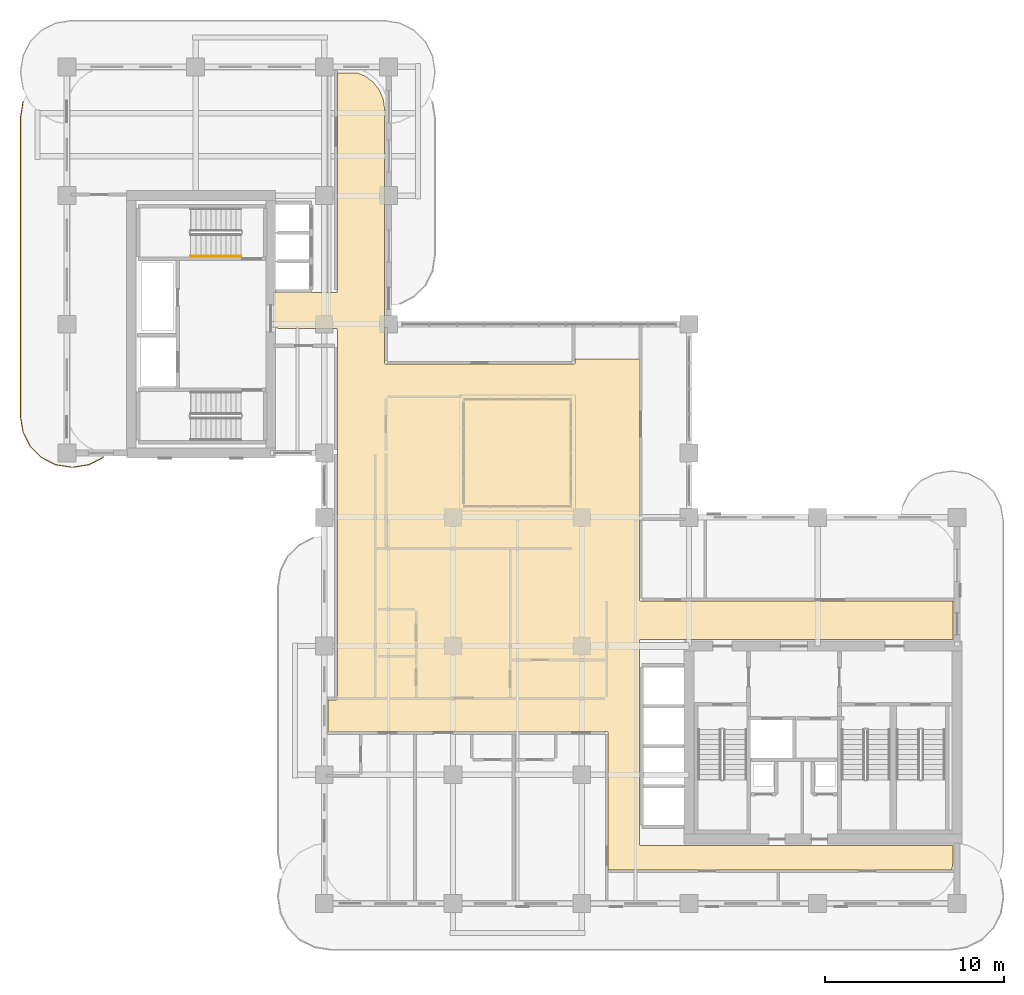
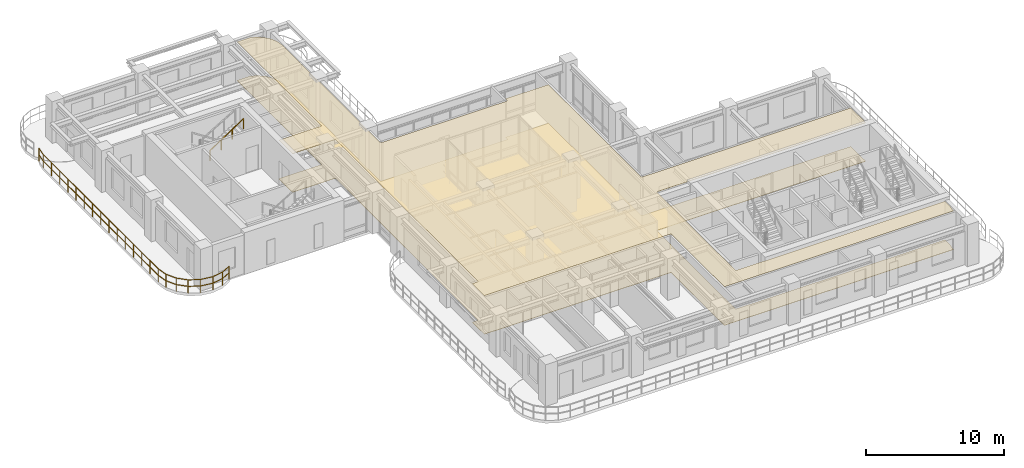
# One storey, part 19 of 20: 2 coverings, 2 railings.
"""IFC4 building model written with IfcOpenShell, lengths in metres."""

import ifcopenshell
import ifcopenshell.guid

model = None  # the IFC model being written
_history = None  # IfcOwnerHistory: only IFC2X3 demands one
_inside = {}  # id of a spatial element -> (the spatial element, [elements in it])
_under = {}  # id of a project, library or spatial element -> (it, [spatial elements below it])
_declared = {}  # id of a project -> (the project, [libraries it declares])
_typed = {}  # id of a type object -> (the type object, [elements of that type])
_made_of = {}  # id of a material, layer set ... -> (it, [elements and type objects made of it])


def new_model(schema):
    """Start an empty IFC model of exactly this schema.

    Asked for "IFC4X3", IfcOpenShell would pick the latest addendum, in which some entities
    have other attributes; the version numbers below select the first issue.
    IFC2X3 requires an IfcOwnerHistory on every rooted entity: one is made here for all.
    """
    global model, _history
    if schema == "IFC4X3":
        model = ifcopenshell.file(schema_version=(4, 3, 0, 0))
    else:
        model = ifcopenshell.file(schema=schema)
    _inside.clear()
    _under.clear()
    _declared.clear()
    _typed.clear()
    _made_of.clear()
    _history = None
    if model.schema == "IFC2X3":
        org = make("IfcOrganization", Name="unknown")
        user = make(
            "IfcPersonAndOrganization",
            ThePerson=make("IfcPerson", FamilyName="unknown"),
            TheOrganization=org,
        )
        app = make(
            "IfcApplication",
            ApplicationDeveloper=org,
            Version="unknown",
            ApplicationFullName="unknown",
            ApplicationIdentifier="unknown",
        )
        _history = make(
            "IfcOwnerHistory",
            OwningUser=user,
            OwningApplication=app,
            ChangeAction="ADDED",
            CreationDate=0,
        )
    return model


def make(cls, **values):
    """One entity of the class cls with the attributes given. An attribute that is None is left unset."""
    return model.create_entity(
        cls, **{name: value for name, value in values.items() if value is not None}
    )


def rooted(cls, **values):
    """An entity with a GlobalId (a new one), such as an element, a storey or a relation."""
    return make(cls, GlobalId=ifcopenshell.guid.new(), OwnerHistory=_history, **values)


def si_unit(unit_type, name, prefix=None):
    """IfcSIUnit, for example si_unit("LENGTHUNIT", "METRE", prefix="MILLI")."""
    return make("IfcSIUnit", UnitType=unit_type, Prefix=prefix, Name=name)


def derived_unit(unit_type, elements):
    """IfcDerivedUnit: a product of units, each with its exponent."""
    return make(
        "IfcDerivedUnit",
        Elements=[
            make("IfcDerivedUnitElement", Unit=unit, Exponent=power)
            for unit, power in elements
        ],
        UnitType=unit_type,
    )


def assignment(units):
    """IfcUnitAssignment: the units of a project."""
    return None if units is None else make("IfcUnitAssignment", Units=units)


def point(xyz):
    """IfcCartesianPoint."""
    return None if xyz is None else make("IfcCartesianPoint", Coordinates=xyz)


def direction(xyz):
    """IfcDirection."""
    return None if xyz is None else make("IfcDirection", DirectionRatios=xyz)


def frame(location, z_axis=None, x_axis=None):
    """IfcAxis2Placement3D, a coordinate frame: its origin and axes. An axis left out is left unset."""
    return make(
        "IfcAxis2Placement3D",
        Location=point(location),
        Axis=direction(z_axis),
        RefDirection=direction(x_axis),
    )


def frame_2d(location, x_axis=None):
    """IfcAxis2Placement2D, a coordinate frame in the plane: its origin and x axis."""
    return make(
        "IfcAxis2Placement2D", Location=point(location), RefDirection=direction(x_axis)
    )


def origin():
    """The frame at (0, 0, 0) with its axes left unset."""
    return frame((0.0, 0.0, 0.0))


def origin_2d():
    """The frame at (0, 0) in the plane with its x axis left unset."""
    return frame_2d((0.0, 0.0))


def place(relative_to, where):
    """IfcLocalPlacement: puts the frame where relative to a parent placement (None: the world)."""
    return make(
        "IfcLocalPlacement", PlacementRelTo=relative_to, RelativePlacement=where
    )


def context(
    kind, dimensions, precision=None, world=None, true_north=None, identifier=None
):
    """IfcGeometricRepresentationContext, for example the 3D "Model" context."""
    return make(
        "IfcGeometricRepresentationContext",
        ContextIdentifier=identifier,
        ContextType=kind,
        CoordinateSpaceDimension=dimensions,
        Precision=precision,
        WorldCoordinateSystem=world,
        TrueNorth=true_north,
    )


def subcontext(parent, identifier, kind, view, scale=None):
    """IfcGeometricRepresentationSubContext, for example "Body" below "Model"."""
    return make(
        "IfcGeometricRepresentationSubContext",
        ContextIdentifier=identifier,
        ContextType=kind,
        ParentContext=parent,
        TargetScale=scale,
        TargetView=view,
    )


def project(units=None, contexts=None):
    """IfcProject with its units and contexts."""
    return rooted(
        "IfcProject",
        Name="project",
        RepresentationContexts=contexts,
        UnitsInContext=assignment(units),
    )


def spatial(cls, under=None, at=None, **own):
    """A site, building, storey or space (cls), placed at a placement, below another one or the project."""
    s = rooted(cls, ObjectPlacement=at, **own)
    if under is not None:
        _under.setdefault(under.id(), (under, []))[1].append(s)
    return s


def polyline(points):
    """IfcPolyline through the points."""
    return make("IfcPolyline", Points=[point(p) for p in points])


def profile(cls, at=None, kind="AREA", **sizes):
    """A parametric profile (cls). Its sizes go by their IFC names, for example OverallWidth=200.0."""
    return make(cls, ProfileType=kind, Position=at, **sizes)


def rectangle(**sizes):
    """IfcRectangleProfileDef."""
    return profile("IfcRectangleProfileDef", **sizes)


def outline(outer, holes=None, kind="AREA"):
    """IfcArbitraryClosedProfileDef: a profile drawn as a closed curve; with holes, ...WithVoids."""
    if holes is None:
        return make("IfcArbitraryClosedProfileDef", ProfileType=kind, OuterCurve=outer)
    return make(
        "IfcArbitraryProfileDefWithVoids",
        ProfileType=kind,
        OuterCurve=outer,
        InnerCurves=holes,
    )


def extrude(swept, where, along, depth):
    """IfcExtrudedAreaSolid: the profile swept, set in the frame where, extruded along a direction by depth."""
    return make(
        "IfcExtrudedAreaSolid",
        SweptArea=swept,
        Position=where,
        ExtrudedDirection=direction(along),
        Depth=depth,
    )


def shape(context_of_items, identifier, shape_type, items):
    """IfcShapeRepresentation: the items that make up one representation, for example the "Body"."""
    return make(
        "IfcShapeRepresentation",
        ContextOfItems=context_of_items,
        RepresentationIdentifier=identifier,
        RepresentationType=shape_type,
        Items=items,
    )


def material(Name=None, Category=None):
    """IfcMaterial."""
    return make("IfcMaterial", Name=Name, Category=Category)


def layer(
    of_material, thickness, ventilated=None, Name=None, Category=None, Priority=None
):
    """IfcMaterialLayer: one layer of a wall or slab, of a material (None: an air gap)."""
    return make(
        "IfcMaterialLayer",
        Material=of_material,
        LayerThickness=thickness,
        IsVentilated=ventilated,
        Name=Name,
        Category=Category,
        Priority=Priority,
    )


def layer_set(layers, Name=None):
    """IfcMaterialLayerSet."""
    return make("IfcMaterialLayerSet", MaterialLayers=layers, LayerSetName=Name)


def made_of(thing, what):
    """Note that an element or type object is made of a material, layer set ...; save() writes the relation."""
    if what is not None:
        _made_of.setdefault(what.id(), (what, []))[1].append(thing)
    return thing


def type_object(cls, material=None, **own):
    """A type object (cls), such as IfcWallType, which elements share."""
    return made_of(rooted(cls, **own), material)


def element(
    cls,
    number,
    at=None,
    inside=None,
    cuts=None,
    type_object=None,
    material=None,
    context=None,
    identifier="Body",
    shape_type=None,
    held_by="IfcProductDefinitionShape",
    body=None,
    shapes=None,
    **own,
):
    """One element of the class cls, such as IfcWall. Its Tag is "e" and its number.

    at: its placement. inside: the storey or other place that contains it. cuts: it is an
    opening in that element (IfcRelVoidsElement). A single representation is given by context,
    identifier, shape_type and body (its items); several are given by shapes. held_by: the class
    of the entity that holds the representations. save() writes the other relations.
    """
    e = rooted(cls, Tag="e%d" % number, ObjectPlacement=at, **own)
    if body is not None:
        shapes = [shape(context, identifier, shape_type, body)]
    if shapes is not None:
        e.Representation = make(held_by, Representations=shapes)
    if inside is not None:
        _inside.setdefault(inside.id(), (inside, []))[1].append(e)
    if cuts is not None:
        rooted(
            "IfcRelVoidsElement", RelatingBuildingElement=cuts, RelatedOpeningElement=e
        )
    if type_object is not None:
        _typed.setdefault(type_object.id(), (type_object, []))[1].append(e)
    return made_of(e, material)


def aggregate(whole, parts):
    """IfcRelAggregates: a whole, such as a stair, and the parts it consists of."""
    return rooted("IfcRelAggregates", RelatingObject=whole, RelatedObjects=parts)


def save(model, path):
    """Write the relations noted so far, then the file.

    IfcRelAggregates (storeys below a building ...), IfcRelContainedInSpatialStructure (elements
    in a storey), IfcRelDefinesByType, IfcRelAssociatesMaterial and IfcRelDeclares: one each for
    every whole, place, type object, material and project.
    """
    for whole, parts in _under.values():
        aggregate(whole, parts)
    for where, things in _inside.values():
        rooted(
            "IfcRelContainedInSpatialStructure",
            RelatedElements=things,
            RelatingStructure=where,
        )
    for kind, things in _typed.values():
        rooted("IfcRelDefinesByType", RelatedObjects=things, RelatingType=kind)
    for what, things in _made_of.values():
        rooted("IfcRelAssociatesMaterial", RelatedObjects=things, RelatingMaterial=what)
    for by, libraries in _declared.values():
        rooted("IfcRelDeclares", RelatingContext=by, RelatedDefinitions=libraries)
    model.write(path)


model = new_model("IFC4")

# Units and contexts
model_context = context("Model", 3, precision=1e-05, world=origin(), true_north=direction((0.0, 1.0)))
body_context = subcontext(model_context, "Body", "Model", "MODEL_VIEW")
ifc_project = project(units=[si_unit("LENGTHUNIT", "METRE"), si_unit("AREAUNIT", "SQUARE_METRE"), si_unit("VOLUMEUNIT", "CUBIC_METRE"), si_unit("PLANEANGLEUNIT", "RADIAN"), si_unit("MASSUNIT", "GRAM", prefix="KILO"), si_unit("THERMODYNAMICTEMPERATUREUNIT", "KELVIN"), si_unit("POWERUNIT", "WATT"), derived_unit("THERMALTRANSMITTANCEUNIT", [(si_unit("POWERUNIT", "WATT"), 1), (si_unit("AREAUNIT", "SQUARE_METRE"), -1), (si_unit("THERMODYNAMICTEMPERATUREUNIT", "KELVIN"), -1)])], contexts=[model_context])

# Site, building, storey
site_placement = place(None, origin())
site = spatial("IfcSite", under=ifc_project, at=site_placement, CompositionType="ELEMENT")
building_placement = place(site_placement, origin())
building = spatial("IfcBuilding", under=site, at=building_placement, Name="Zahravan Archway Hotel and Residences", CompositionType="ELEMENT")
storey_placement = place(building_placement, frame((0.0, 0.0, 130.300048828125)))
storey = spatial("IfcBuildingStorey", under=building, at=storey_placement, Name="L32", CompositionType="ELEMENT", Elevation=130.300048828125)

# Coverings
ifc_material_1 = material(Name="Perforated Acoustic Gypsum Ceiling")
ifc_layer_1 = layer(ifc_material_1, 0.02490234375, Name="Perforated Acoustic Gypsum Ceiling")
ifc_layer_set_1 = layer_set([ifc_layer_1], Name="Perforated Acoustic Gypsum Ceiling")
covering_type_1 = type_object("IfcCoveringType", Name="COV-CEIL-ACST", PredefinedType="CEILING", material=ifc_layer_set_1)
covering_1_placement = place(storey_placement, frame((0.0, 0.0, 3.425048828125)))
element("IfcCovering", 1, at=covering_1_placement, inside=storey, type_object=covering_type_1, Name="L32 Acoustic Corridor Ceiling", PredefinedType="CEILING", context=body_context, shape_type="SweptSolid", body=[
    extrude(outline(polyline([(32.08447265625, 14.75341796875), (32.04345703125, 14.731689453125), (32.021484375, 14.690673828125), (32.02001953125, 3.324951171875), (32.033447265625, 3.280517578125), (32.0693359375, 3.251220703125), (49.580078125, 3.2451171875), (49.580078125, 2.414306640625), (49.509521484375, 1.8798828125), (30.280029296875, 1.8798828125), (30.280029296875, 9.550048828125), (30.2666015625, 9.594482421875), (30.230712890625, 9.623779296875), (14.6201171875, 9.6298828125), (14.6201171875, 11.389892578125), (15.050048828125, 11.389892578125), (15.094482421875, 11.403564453125), (15.123779296875, 11.439453125), (15.1298828125, 32.10009765625), (15.116455078125, 32.144287109375), (15.08056640625, 32.173828125), (11.530029296875, 32.179931640625), (11.530029296875, 34.169921875), (15.050048828125, 34.169921875), (15.094482421875, 34.18359375), (15.123779296875, 34.219482421875), (15.1298828125, 46.469970703125), (16.24560546875, 46.469970703125), (16.689208984375, 46.286376953125), (17.14013671875, 45.940185546875), (17.486328125, 45.489013671875), (17.703857421875, 44.9638671875), (17.77001953125, 44.46142578125), (17.77001953125, 30.25), (17.783447265625, 30.20556640625), (17.8193359375, 30.176025390625), (28.35009765625, 30.169921875), (28.394287109375, 30.18359375), (28.423828125, 30.219482421875), (28.429931640625, 30.469970703125), (32.02001953125, 30.469970703125), (32.02001953125, 17.0), (32.033447265625, 16.95556640625), (32.0693359375, 16.926025390625), (49.580078125, 16.919921875), (49.580078125, 14.7548828125), (32.10009765625, 14.7548828125), (32.08447265625, 14.75341796875)])), origin(), (0.0, 0.0, 1.0), 0.02490234375),
])
ifc_material_2 = material(Name="Honed Margalla Limestone & Mortar Bed", Category="masonry")
ifc_layer_2 = layer(ifc_material_2, 0.030029296875, Name="Honed Margalla Limestone & Mortar Bed", Category="masonry")
ifc_layer_set_2 = layer_set([ifc_layer_2], Name="Honed Margalla Limestone & Mortar Bed")
covering_type_2 = type_object("IfcCoveringType", Name="COV-FLR-STONE", PredefinedType="FLOORING", material=ifc_layer_set_2)
covering_2_placement = place(storey_placement, origin())
element("IfcCovering", 2, at=covering_2_placement, inside=storey, type_object=covering_type_2, Name="L32 Circulation Floor Finish", PredefinedType="FLOORING", context=body_context, shape_type="SweptSolid", body=[
    extrude(outline(polyline([(32.08447265625, 14.75341796875), (32.04345703125, 14.731689453125), (32.021484375, 14.690673828125), (32.02001953125, 3.324951171875), (32.033447265625, 3.280517578125), (32.0693359375, 3.251220703125), (49.580078125, 3.2451171875), (49.580078125, 2.414306640625), (49.509521484375, 1.8798828125), (30.280029296875, 1.8798828125), (30.280029296875, 9.550048828125), (30.2666015625, 9.594482421875), (30.230712890625, 9.623779296875), (14.6201171875, 9.6298828125), (14.6201171875, 11.389892578125), (15.050048828125, 11.389892578125), (15.094482421875, 11.403564453125), (15.123779296875, 11.439453125), (15.1298828125, 32.10009765625), (15.116455078125, 32.144287109375), (15.08056640625, 32.173828125), (11.530029296875, 32.179931640625), (11.530029296875, 34.169921875), (15.050048828125, 34.169921875), (15.094482421875, 34.18359375), (15.123779296875, 34.219482421875), (15.1298828125, 46.469970703125), (16.24560546875, 46.469970703125), (16.689208984375, 46.286376953125), (17.14013671875, 45.940185546875), (17.486328125, 45.489013671875), (17.703857421875, 44.9638671875), (17.77001953125, 44.46142578125), (17.77001953125, 30.25), (17.783447265625, 30.20556640625), (17.8193359375, 30.176025390625), (28.35009765625, 30.169921875), (28.394287109375, 30.18359375), (28.423828125, 30.219482421875), (28.429931640625, 30.469970703125), (32.02001953125, 30.469970703125), (32.02001953125, 17.0), (32.033447265625, 16.95556640625), (32.0693359375, 16.926025390625), (49.580078125, 16.919921875), (49.580078125, 14.7548828125), (32.10009765625, 14.7548828125), (32.08447265625, 14.75341796875)])), origin(), (0.0, 0.0, 1.0), 0.030029296875),
])

# Railings
ifc_material_3 = material(Name="Bronze & Laminated Glass Balustrade", Category="glass")
railing_type_1 = type_object("IfcRailingType", Name="RL-BAL-1200", PredefinedType="BALUSTRADE", material=ifc_material_3)
railing_1_placement = place(storey_placement, frame((2.025146484375, 24.9443359375, 0.0)))
element("IfcRailing", 3, at=railing_1_placement, inside=storey, type_object=railing_type_1, Name="L32 Balustrade RL-SLB-BAL-L32-WB-1", PredefinedType="BALUSTRADE", context=body_context, shape_type="SweptSolid", body=[
    extrude(rectangle(XDim=0.048095703125, YDim=0.048095703125, at=origin_2d()), frame((0.0, 0.0, 1.17578125), z_axis=(-0.891006060389, -0.453991409995, 0.0), x_axis=(0.453991409995, -0.891006060389, 0.0)), (0.0, 0.0, 1.0), 0.8916015625),
    extrude(rectangle(XDim=0.048095703125, YDim=0.048095703125, at=origin_2d()), frame((0.0, 0.0, 0.60009765625), z_axis=(-0.891006060389, -0.453991409995, 0.0), x_axis=(0.453991409995, -0.891006060389, 0.0)), (0.0, 0.0, 1.0), 0.8916015625),
    extrude(rectangle(XDim=0.048095703125, YDim=0.048095703125, at=origin_2d()), frame((-0.79443359375, -0.40478515625, 1.17578125), z_axis=(-0.987658397726, -0.156623399917, 0.0), x_axis=(0.156623399917, -0.987658397726, 0.0)), (0.0, 0.0, 1.0), 0.8916015625),
    extrude(rectangle(XDim=0.048095703125, YDim=0.048095703125, at=origin_2d()), frame((-0.79443359375, -0.40478515625, 0.60009765625), z_axis=(-0.987658397726, -0.156623399917, 0.0), x_axis=(0.156623399917, -0.987658397726, 0.0)), (0.0, 0.0, 1.0), 0.8916015625),
    extrude(rectangle(XDim=0.048095703125, YDim=0.048095703125, at=origin_2d()), frame((-1.675048828125, -0.54443359375, 1.17578125), z_axis=(-1.0, 0.0, 0.0), x_axis=(0.0, -1.0, 0.0)), (0.0, 0.0, 1.0), 0.10009765625),
    extrude(rectangle(XDim=0.048095703125, YDim=0.048095703125, at=origin_2d()), frame((-1.675048828125, -0.54443359375, 0.60009765625), z_axis=(-1.0, 0.0, 0.0), x_axis=(0.0, -1.0, 0.0)), (0.0, 0.0, 1.0), 0.10009765625),
    extrude(rectangle(XDim=0.048095703125, YDim=0.048095703125, at=origin_2d()), frame((-1.775146484375, -0.54443359375, 1.17578125), z_axis=(-0.987658397726, 0.156623399917, 0.0), x_axis=(-0.156623399917, -0.987658397726, 0.0)), (0.0, 0.0, 1.0), 0.8916015625),
    extrude(rectangle(XDim=0.048095703125, YDim=0.048095703125, at=origin_2d()), frame((-1.775146484375, -0.54443359375, 0.60009765625), z_axis=(-0.987658397726, 0.156623399917, 0.0), x_axis=(-0.156623399917, -0.987658397726, 0.0)), (0.0, 0.0, 1.0), 0.8916015625),
    extrude(rectangle(XDim=0.048095703125, YDim=0.048095703125, at=origin_2d()), frame((-2.65576171875, -0.40478515625, 1.17578125), z_axis=(-0.891062476022, 0.45388067135, 0.0), x_axis=(-0.45388067135, -0.891062476022, 0.0)), (0.0, 0.0, 1.0), 0.891845703125),
    extrude(rectangle(XDim=0.048095703125, YDim=0.048095703125, at=origin_2d()), frame((-2.65576171875, -0.40478515625, 0.60009765625), z_axis=(-0.891062476022, 0.45388067135, 0.0), x_axis=(-0.45388067135, -0.891062476022, 0.0)), (0.0, 0.0, 1.0), 0.891845703125),
    extrude(rectangle(XDim=0.048095703125, YDim=0.048095703125, at=origin_2d()), frame((-3.450439453125, 0.0, 1.17578125), z_axis=(-0.707106781187, 0.707106781187, 0.0), x_axis=(-0.707106781187, -0.707106781187, 0.0)), (0.0, 0.0, 1.0), 0.891357421875),
    extrude(rectangle(XDim=0.048095703125, YDim=0.048095703125, at=origin_2d()), frame((-3.450439453125, 0.0, 0.60009765625), z_axis=(-0.707106781187, 0.707106781187, 0.0), x_axis=(-0.707106781187, -0.707106781187, 0.0)), (0.0, 0.0, 1.0), 0.891357421875),
    extrude(rectangle(XDim=0.048095703125, YDim=0.048095703125, at=origin_2d()), frame((-4.080810546875, 0.63037109375, 1.17578125), z_axis=(-0.45388067135, 0.891062476022, 0.0), x_axis=(-0.891062476022, -0.45388067135, 0.0)), (0.0, 0.0, 1.0), 0.891845703125),
    extrude(rectangle(XDim=0.048095703125, YDim=0.048095703125, at=origin_2d()), frame((-4.080810546875, 0.63037109375, 0.60009765625), z_axis=(-0.45388067135, 0.891062476022, 0.0), x_axis=(-0.891062476022, -0.45388067135, 0.0)), (0.0, 0.0, 1.0), 0.891845703125),
    extrude(rectangle(XDim=0.048095703125, YDim=0.048095703125, at=origin_2d()), frame((-4.485595703125, 1.425048828125, 1.17578125), z_axis=(-0.156623399917, 0.987658397726, 0.0), x_axis=(-0.987658397726, -0.156623399917, 0.0)), (0.0, 0.0, 1.0), 0.8916015625),
    extrude(rectangle(XDim=0.048095703125, YDim=0.048095703125, at=origin_2d()), frame((-4.485595703125, 1.425048828125, 0.60009765625), z_axis=(-0.156623399917, 0.987658397726, 0.0), x_axis=(-0.987658397726, -0.156623399917, 0.0)), (0.0, 0.0, 1.0), 0.8916015625),
    extrude(rectangle(XDim=0.048095703125, YDim=0.048095703125, at=origin_2d()), frame((-4.625244140625, 2.3056640625, 1.17578125), z_axis=(0.0, 1.0, 0.0), x_axis=(-1.0, 0.0, 0.0)), (0.0, 0.0, 1.0), 16.699951171875),
    extrude(rectangle(XDim=0.048095703125, YDim=0.048095703125, at=origin_2d()), frame((-4.625244140625, 2.3056640625, 0.60009765625), z_axis=(0.0, 1.0, 0.0), x_axis=(-1.0, 0.0, 0.0)), (0.0, 0.0, 1.0), 16.699951171875),
    extrude(rectangle(XDim=0.048095703125, YDim=0.048095703125, at=origin_2d()), frame((-4.625244140625, 19.005615234375, 1.17578125), z_axis=(0.156581054338, 0.98766511198, 0.0), x_axis=(-0.98766511198, 0.156581054338, 0.0)), (0.0, 0.0, 1.0), 0.891845703125),
    extrude(rectangle(XDim=0.048095703125, YDim=0.048095703125, at=origin_2d()), frame((-4.625244140625, 19.005615234375, 0.60009765625), z_axis=(0.156581054338, 0.98766511198, 0.0), x_axis=(-0.98766511198, 0.156581054338, 0.0)), (0.0, 0.0, 1.0), 0.891845703125),
    extrude(rectangle(XDim=0.0419921875, YDim=0.0419921875, at=origin_2d()), origin(), (0.0, 0.0, 1.0), 1.15185546875),
    extrude(rectangle(XDim=0.0419921875, YDim=0.0419921875, at=origin_2d()), frame((-0.79443359375, -0.40478515625, 0.0)), (0.0, 0.0, 1.0), 1.15185546875),
    extrude(rectangle(XDim=0.0419921875, YDim=0.0419921875, at=origin_2d()), frame((-1.675048828125, -0.54443359375, 0.0)), (0.0, 0.0, 1.0), 1.15185546875),
    extrude(rectangle(XDim=0.0419921875, YDim=0.0419921875, at=origin_2d()), frame((-2.65576171875, -0.40478515625, 0.0)), (0.0, 0.0, 1.0), 1.15185546875),
    extrude(rectangle(XDim=0.0419921875, YDim=0.0419921875, at=origin_2d()), frame((-3.450439453125, 0.0, 0.0)), (0.0, 0.0, 1.0), 1.15185546875),
    extrude(rectangle(XDim=0.0419921875, YDim=0.0419921875, at=origin_2d()), frame((-4.080810546875, 0.63037109375, 0.0)), (0.0, 0.0, 1.0), 1.15185546875),
    extrude(rectangle(XDim=0.0419921875, YDim=0.0419921875, at=origin_2d()), frame((-4.485595703125, 1.425048828125, 0.0)), (0.0, 0.0, 1.0), 1.15185546875),
    extrude(rectangle(XDim=0.0419921875, YDim=0.0419921875, at=origin_2d()), frame((-4.625244140625, 2.3056640625, 0.0)), (0.0, 0.0, 1.0), 1.15185546875),
    extrude(rectangle(XDim=0.0419921875, YDim=0.0419921875, at=origin_2d()), frame((-4.625244140625, 3.49853515625, 0.0)), (0.0, 0.0, 1.0), 1.15185546875),
    extrude(rectangle(XDim=0.0419921875, YDim=0.0419921875, at=origin_2d()), frame((-4.625244140625, 4.69140625, 0.0)), (0.0, 0.0, 1.0), 1.15185546875),
    extrude(rectangle(XDim=0.0419921875, YDim=0.0419921875, at=origin_2d()), frame((-4.625244140625, 5.88427734375, 0.0)), (0.0, 0.0, 1.0), 1.15185546875),
    extrude(rectangle(XDim=0.0419921875, YDim=0.0419921875, at=origin_2d()), frame((-4.625244140625, 7.0771484375, 0.0)), (0.0, 0.0, 1.0), 1.15185546875),
    extrude(rectangle(XDim=0.0419921875, YDim=0.0419921875, at=origin_2d()), frame((-4.625244140625, 8.27001953125, 0.0)), (0.0, 0.0, 1.0), 1.15185546875),
    extrude(rectangle(XDim=0.0419921875, YDim=0.0419921875, at=origin_2d()), frame((-4.625244140625, 9.462890625, 0.0)), (0.0, 0.0, 1.0), 1.15185546875),
    extrude(rectangle(XDim=0.0419921875, YDim=0.0419921875, at=origin_2d()), frame((-4.625244140625, 10.65576171875, 0.0)), (0.0, 0.0, 1.0), 1.15185546875),
    extrude(rectangle(XDim=0.0419921875, YDim=0.0419921875, at=origin_2d()), frame((-4.625244140625, 11.848388671875, 0.0)), (0.0, 0.0, 1.0), 1.15185546875),
    extrude(rectangle(XDim=0.0419921875, YDim=0.0419921875, at=origin_2d()), frame((-4.625244140625, 13.041259765625, 0.0)), (0.0, 0.0, 1.0), 1.15185546875),
    extrude(rectangle(XDim=0.0419921875, YDim=0.0419921875, at=origin_2d()), frame((-4.625244140625, 14.234130859375, 0.0)), (0.0, 0.0, 1.0), 1.15185546875),
    extrude(rectangle(XDim=0.0419921875, YDim=0.0419921875, at=origin_2d()), frame((-4.625244140625, 15.427001953125, 0.0)), (0.0, 0.0, 1.0), 1.15185546875),
    extrude(rectangle(XDim=0.0419921875, YDim=0.0419921875, at=origin_2d()), frame((-4.625244140625, 16.619873046875, 0.0)), (0.0, 0.0, 1.0), 1.15185546875),
    extrude(rectangle(XDim=0.0419921875, YDim=0.0419921875, at=origin_2d()), frame((-4.625244140625, 17.812744140625, 0.0)), (0.0, 0.0, 1.0), 1.15185546875),
    extrude(rectangle(XDim=0.0419921875, YDim=0.0419921875, at=origin_2d()), frame((-4.625244140625, 19.005615234375, 0.0)), (0.0, 0.0, 1.0), 1.15185546875),
    extrude(rectangle(XDim=0.0419921875, YDim=0.0419921875, at=origin_2d()), frame((-4.485595703125, 19.886474609375, 0.0)), (0.0, 0.0, 1.0), 1.15185546875),
])
ifc_material_4 = material(Name="Brushed Stainless Steel", Category="steel")
railing_type_2 = type_object("IfcRailingType", Name="RL-STH-900", PredefinedType="HANDRAIL", material=ifc_material_4)
railing_2_placement = place(storey_placement, frame((6.929931640625, 36.2099609375, 2.01806640625)))
element("IfcRailing", 4, at=railing_2_placement, inside=storey, type_object=railing_type_2, Name="L32 ST-B2 stair handrail 2", PredefinedType="HANDRAIL", context=body_context, shape_type="SweptSolid", body=[
    extrude(rectangle(XDim=0.048095703125, YDim=0.048095703125, at=origin_2d()), frame((0.0, 0.0, 0.8759765625), z_axis=(0.834326358476, 0.0, 0.551270829586), x_axis=(0.0, 1.0, 0.0)), (0.0, 0.0, 1.0), 3.35595703125),
    extrude(rectangle(XDim=0.0419921875, YDim=0.0419921875, at=origin_2d()), origin(), (0.0, 0.0, 1.0), 0.851806640625),
    extrude(rectangle(XDim=0.0419921875, YDim=0.0419921875, at=origin_2d()), frame((0.933349609375, 0.0, 0.61669921875)), (0.0, 0.0, 1.0), 0.851806640625),
    extrude(rectangle(XDim=0.0419921875, YDim=0.0419921875, at=origin_2d()), frame((1.86669921875, 0.0, 1.2333984375)), (0.0, 0.0, 1.0), 0.851806640625),
    extrude(rectangle(XDim=0.0419921875, YDim=0.0419921875, at=origin_2d()), frame((2.800048828125, 0.0, 1.85009765625)), (0.0, 0.0, 1.0), 0.851806640625),
])

save(model, "model.ifc")
